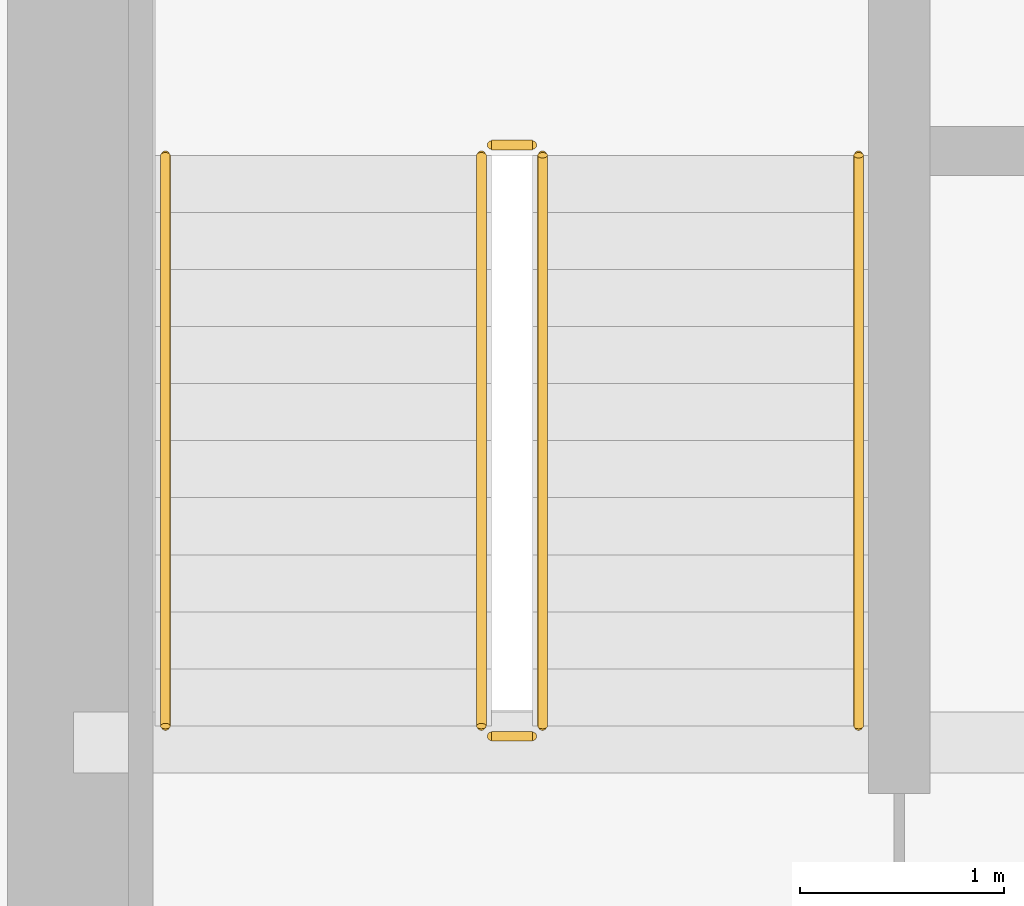
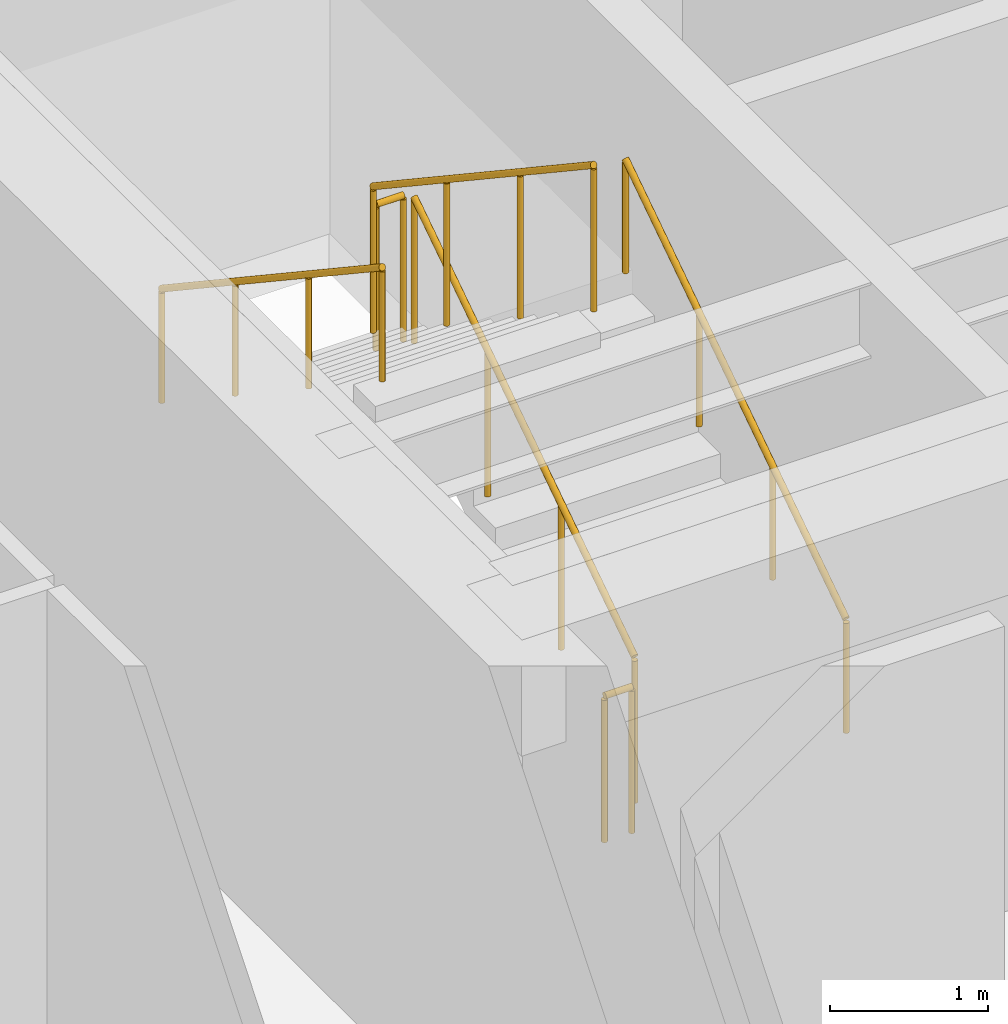
# One storey, part 29 of 30: 6 railings.
"""IFC4 building model written with IfcOpenShell, lengths in metres."""

from ifc_helpers import new_model, si_unit, direction, frame, origin, origin_2d, place, context, subcontext, project, spatial, circle, extrude, source, transform, mapped, material, type_object, type_shapes, element, save


model = new_model("IFC4")

# Units and contexts
model_context = context("Model", 3, precision=1e-05, world=origin(), true_north=direction((0.0, 1.0)))
body_context = subcontext(model_context, "Body", "Model", "MODEL_VIEW")
ifc_project = project(units=[si_unit("LENGTHUNIT", "METRE"), si_unit("AREAUNIT", "SQUARE_METRE"), si_unit("VOLUMEUNIT", "CUBIC_METRE"), si_unit("PLANEANGLEUNIT", "RADIAN"), si_unit("MASSUNIT", "GRAM", prefix="KILO")], contexts=[model_context])

# Site, building, storey
site_placement = place(None, origin())
site = spatial("IfcSite", under=ifc_project, at=site_placement, CompositionType="ELEMENT")
building_placement = place(site_placement, origin())
building = spatial("IfcBuilding", under=site, at=building_placement, Name="Haelvirn Gate Laboratories", CompositionType="ELEMENT")
storey_placement = place(building_placement, frame((0.0, 0.0, 105.10009765625)))
storey = spatial("IfcBuildingStorey", under=building, at=storey_placement, Name="L25", CompositionType="ELEMENT", Elevation=105.10009765625)

# Railings
ifc_material_1 = material(Name="Galvanised steel SM355 & stainless top rail", Category="steel")
railing_type_1 = type_object("IfcRailingType", Name="RL-GUARD-1150", PredefinedType="GUARDRAIL", material=ifc_material_1)
shared_shape_1 = source(origin(), body_context, "Body", "SweptSolid", [
    extrude(circle(Radius=0.02392578125, at=origin_2d()), frame((0.0, 0.0, 1.1259765625), z_axis=(-1.0, 0.0, 0.0), x_axis=(0.0, -1.0, 0.0)), (0.0, 0.0, 1.0), 0.199951171875),
    extrude(circle(Radius=0.02099609375, at=origin_2d()), origin(), (0.0, 0.0, 1.0), 1.101806640625),
    extrude(circle(Radius=0.02099609375, at=origin_2d()), frame((-0.199951171875, 0.0, 0.0)), (0.0, 0.0, 1.0), 1.101806640625),
])
for number, where, name in (
    (1, (9.64990234375, 29.550048828125, 2.0498046875), "L25 ST1 stair guard 2"),
    (2, (9.64990234375, 26.64990234375, 0.0), "L25 ST1 stair guard 4"),
):
    element("IfcRailing", number, at=place(storey_placement, frame(where)), inside=storey, type_object=railing_type_1, Name=name, PredefinedType="GUARDRAIL", context=body_context, shape_type="MappedRepresentation", body=[
        mapped(shared_shape_1, transform((0.0, 0.0, 0.0), scale=1.0)),
    ])
shared_shape_2 = source(origin(), body_context, "Body", "SweptSolid", [
    extrude(circle(Radius=0.02392578125, at=origin_2d()), frame((0.0, 0.0, 1.1259765625), z_axis=(0.0, 0.832485552168, 0.554046753832), x_axis=(-1.0, 0.0, 0.0)), (0.0, 0.0, 1.0), 3.363525390625),
    extrude(circle(Radius=0.02099609375, at=origin_2d()), origin(), (0.0, 0.0, 1.0), 1.101806640625),
    extrude(circle(Radius=0.02099609375, at=origin_2d()), frame((0.0, 0.933349609375, 0.62109375)), (0.0, 0.0, 1.0), 1.101806640625),
    extrude(circle(Radius=0.02099609375, at=origin_2d()), frame((0.0, 1.86669921875, 1.242431640625)), (0.0, 0.0, 1.0), 1.101806640625),
    extrude(circle(Radius=0.02099609375, at=origin_2d()), frame((0.0, 2.800048828125, 1.863525390625)), (0.0, 0.0, 1.0), 1.101806640625),
])
railing_1_placement = place(storey_placement, frame((9.699951171875, 26.699951171875, 0.186279296875)))
element("IfcRailing", 3, at=railing_1_placement, inside=storey, type_object=railing_type_1, Name="L25 ST1 stair guard 1", PredefinedType="GUARDRAIL", context=body_context, shape_type="MappedRepresentation", body=[
    mapped(shared_shape_2, transform((0.0, 0.0, 0.0), scale=1.0)),
])
ifc_material_2 = material(Name="Brushed stainless steel 316L", Category="steel")
railing_type_2 = type_object("IfcRailingType", Name="RL-HAND-920", PredefinedType="HANDRAIL", material=ifc_material_2)
shared_shape_3 = source(origin(), body_context, "Body", "SweptSolid", [
    extrude(circle(Radius=0.02392578125, at=origin_2d()), frame((0.0, 0.0, 0.8759765625), z_axis=(0.0, 0.832485552168, 0.554046753832), x_axis=(-1.0, 0.0, 0.0)), (0.0, 0.0, 1.0), 3.363525390625),
    extrude(circle(Radius=0.02099609375, at=origin_2d()), origin(), (0.0, 0.0, 1.0), 0.851806640625),
    extrude(circle(Radius=0.02099609375, at=origin_2d()), frame((0.0, 0.933349609375, 0.62109375)), (0.0, 0.0, 1.0), 0.851806640625),
    extrude(circle(Radius=0.02099609375, at=origin_2d()), frame((0.0, 1.86669921875, 1.242431640625)), (0.0, 0.0, 1.0), 0.851806640625),
    extrude(circle(Radius=0.02099609375, at=origin_2d()), frame((0.0, 2.800048828125, 1.863525390625)), (0.0, 0.0, 1.0), 0.851806640625),
])
railing_2_placement = place(storey_placement, frame((11.25, 26.699951171875, 0.186279296875)))
element("IfcRailing", 4, at=railing_2_placement, inside=storey, type_object=railing_type_2, Name="L25 ST1 stair handrail 1", PredefinedType="HANDRAIL", context=body_context, shape_type="MappedRepresentation", body=[
    mapped(shared_shape_3, transform((0.0, 0.0, 0.0), scale=1.0)),
])
shared_shape_4 = source(origin(), body_context, "Body", "SweptSolid", [
    extrude(circle(Radius=0.02392578125, at=origin_2d()), frame((0.0, 0.0, 1.1259765625), z_axis=(0.0, -0.832485552168, 0.554046753832), x_axis=(1.0, 0.0, 0.0)), (0.0, 0.0, 1.0), 3.363525390625),
    extrude(circle(Radius=0.02099609375, at=origin_2d()), origin(), (0.0, 0.0, 1.0), 1.101806640625),
    extrude(circle(Radius=0.02099609375, at=origin_2d()), frame((0.0, -0.933349609375, 0.62109375)), (0.0, 0.0, 1.0), 1.101806640625),
    extrude(circle(Radius=0.02099609375, at=origin_2d()), frame((0.0, -1.86669921875, 1.242431640625)), (0.0, 0.0, 1.0), 1.101806640625),
    extrude(circle(Radius=0.02099609375, at=origin_2d()), frame((0.0, -2.800048828125, 1.863525390625)), (0.0, 0.0, 1.0), 1.101806640625),
])
type_shapes(railing_type_1, [shared_shape_1, shared_shape_2, shared_shape_4])
railing_3_placement = place(storey_placement, frame((9.39990234375, 29.5, 2.236328125)))
element("IfcRailing", 5, at=railing_3_placement, inside=storey, type_object=railing_type_1, Name="L25 ST1 stair guard 3", PredefinedType="GUARDRAIL", context=body_context, shape_type="MappedRepresentation", body=[
    mapped(shared_shape_4, transform((0.0, 0.0, 0.0), scale=1.0)),
])
shared_shape_5 = source(origin(), body_context, "Body", "SweptSolid", [
    extrude(circle(Radius=0.02392578125, at=origin_2d()), frame((0.0, 0.0, 0.8759765625), z_axis=(0.0, -0.832485552168, 0.554046753832), x_axis=(1.0, 0.0, 0.0)), (0.0, 0.0, 1.0), 3.363525390625),
    extrude(circle(Radius=0.02099609375, at=origin_2d()), origin(), (0.0, 0.0, 1.0), 0.851806640625),
    extrude(circle(Radius=0.02099609375, at=origin_2d()), frame((0.0, -0.933349609375, 0.62109375)), (0.0, 0.0, 1.0), 0.851806640625),
    extrude(circle(Radius=0.02099609375, at=origin_2d()), frame((0.0, -1.86669921875, 1.242431640625)), (0.0, 0.0, 1.0), 0.851806640625),
    extrude(circle(Radius=0.02099609375, at=origin_2d()), frame((0.0, -2.800048828125, 1.863525390625)), (0.0, 0.0, 1.0), 0.851806640625),
])
type_shapes(railing_type_2, [shared_shape_3, shared_shape_5])
railing_4_placement = place(storey_placement, frame((7.85009765625, 29.5, 2.236328125)))
element("IfcRailing", 6, at=railing_4_placement, inside=storey, type_object=railing_type_2, Name="L25 ST1 stair handrail 2", PredefinedType="HANDRAIL", context=body_context, shape_type="MappedRepresentation", body=[
    mapped(shared_shape_5, transform((0.0, 0.0, 0.0), scale=1.0)),
])

save(model, "model.ifc")
